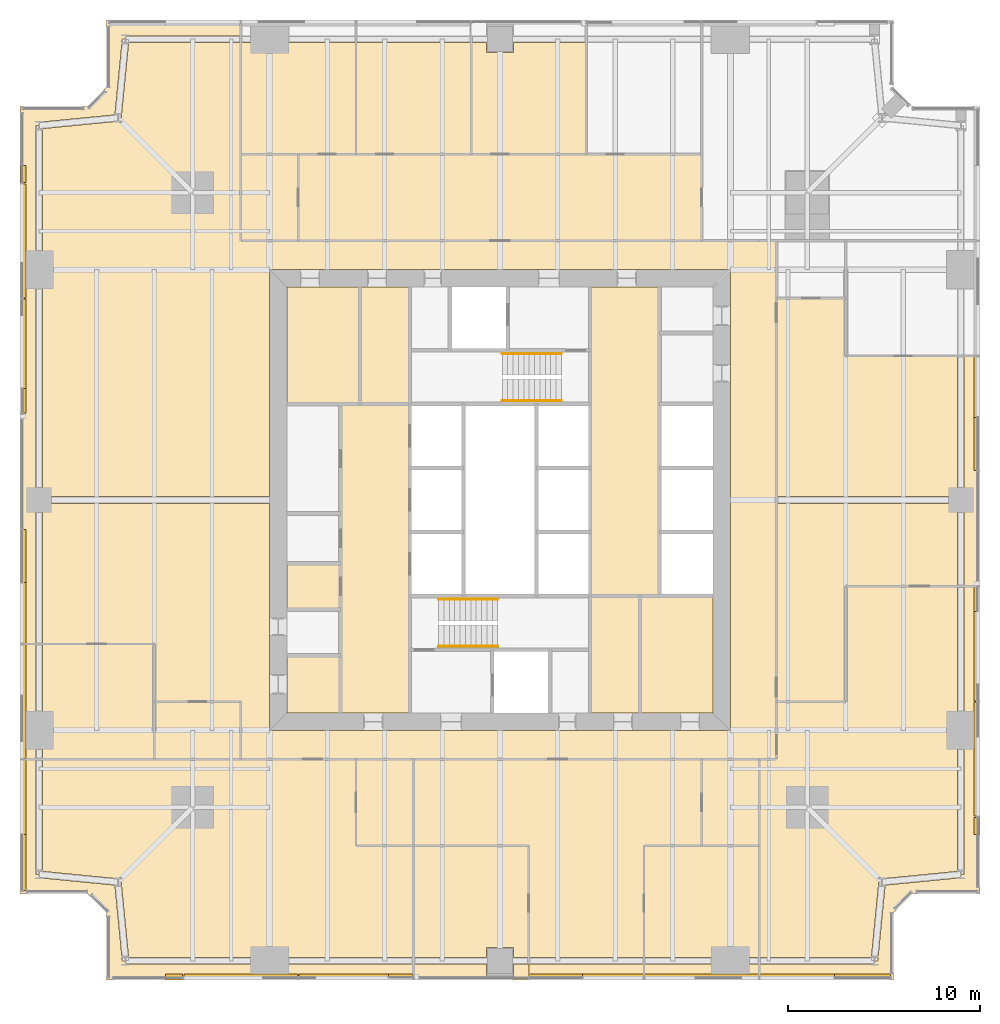
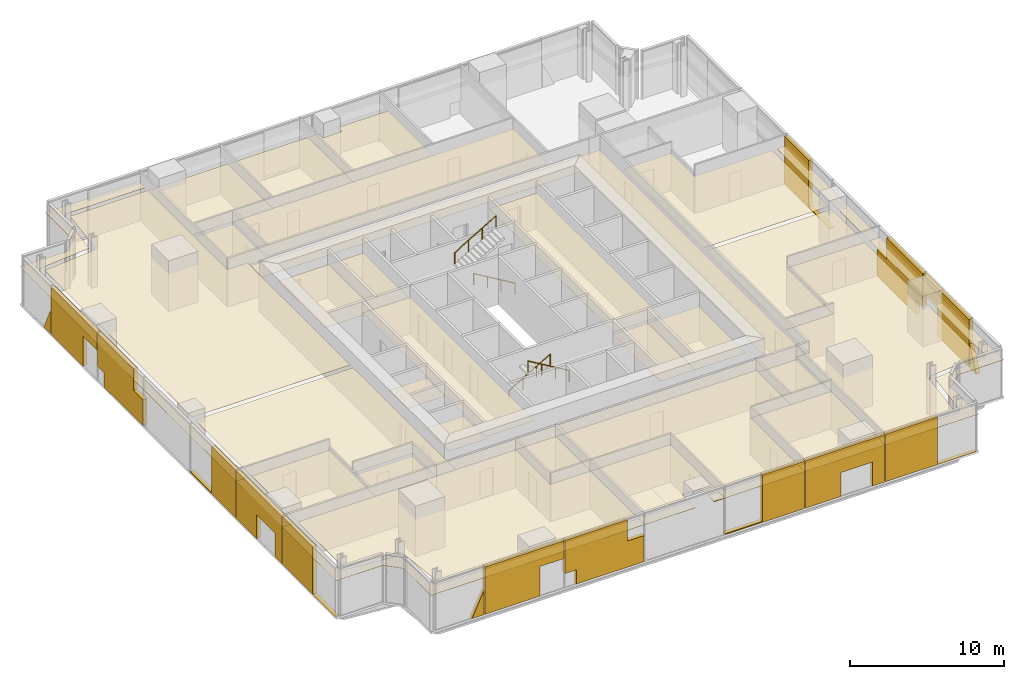
# One storey, part 13 of 14: 52 coverings, 4 railings.
"""IFC4 building model written with IfcOpenShell, lengths in metres."""

from ifc_helpers import new_model, si_unit, direction, frame, origin, origin_2d, place, context, subcontext, project, spatial, polyline, circle, outline, extrude, material, layer, layer_set, type_object, element, save


model = new_model("IFC4")

# Units and contexts
model_context = context("Model", 3, precision=1e-05, world=origin(), true_north=direction((0.0, 1.0)))
body_context = subcontext(model_context, "Body", "Model", "MODEL_VIEW")
ifc_project = project(units=[si_unit("LENGTHUNIT", "METRE"), si_unit("AREAUNIT", "SQUARE_METRE"), si_unit("VOLUMEUNIT", "CUBIC_METRE"), si_unit("PLANEANGLEUNIT", "RADIAN"), si_unit("MASSUNIT", "GRAM", prefix="KILO")], contexts=[model_context])

# Site, building, storey
site_placement = place(None, origin())
site = spatial("IfcSite", under=ifc_project, at=site_placement, CompositionType="ELEMENT")
building_placement = place(site_placement, origin())
building = spatial("IfcBuilding", under=site, at=building_placement, Name="Fenwick Lantern Interchange", CompositionType="ELEMENT")
storey_placement = place(building_placement, frame((0.0, 0.0, 154.39990234375)))
storey = spatial("IfcBuildingStorey", under=building, at=storey_placement, Name="L36", CompositionType="ELEMENT", Elevation=154.39990234375)

# Coverings
ifc_material_1 = material(Name="Mineral fibre acoustic tile on suspended grid")
ifc_layer_1 = layer(ifc_material_1, 0.02001953125)
ifc_layer_set_1 = layer_set([ifc_layer_1], Name="ACOUSTIC TILE CEILING 20")
covering_type_1 = type_object("IfcCoveringType", Name="ACOUSTIC TILE CEILING 20", PredefinedType="CEILING", material=ifc_layer_set_1)
covering_1_placement = place(storey_placement, frame((0.0, 0.0, 2.900146484375)))
element("IfcCovering", 1, at=covering_1_placement, inside=storey, type_object=covering_type_1, Name="Office suite ceiling", PredefinedType="CEILING", context=body_context, shape_type="SweptSolid", body=[
    extrude(outline(polyline([(20.5, 1.17236328125), (20.5, 7.0), (17.5, 7.0), (17.5, 11.5), (1.17236328125, 11.5), (1.17236328125, 5.656494140625), (5.11669921875, 5.271484375), (5.10009765625, 5.10009765625), (5.271484375, 5.11669921875), (5.656494140625, 1.17236328125), (13.0, 1.17236328125), (20.5, 1.17236328125)])), origin(), (0.0, 0.0, 1.0), 0.02001953125),
])
covering_2_placement = place(storey_placement, frame((0.0, 0.0, 2.900146484375)))
element("IfcCovering", 2, at=covering_2_placement, inside=storey, type_object=covering_type_1, Name="Office suite ceiling", PredefinedType="CEILING", context=body_context, shape_type="SweptSolid", body=[
    extrude(outline(polyline([(20.5, 0.0), (20.5, 0.82763671875), (13.0, 0.82763671875), (5.5, 0.82763671875), (5.5, 1.0), (5.328369140625, 0.983154296875), (4.942138671875, 4.942138671875), (0.983154296875, 5.328369140625), (1.0, 5.5), (0.82763671875, 5.5), (0.82763671875, 11.5), (0.0, 11.5), (0.0, 4.5), (3.5, 4.5), (4.5, 3.5), (4.5, 0.0), (20.5, 0.0)])), origin(), (0.0, 0.0, 1.0), 0.02001953125),
])
covering_3_placement = place(storey_placement, frame((0.0, 0.0, 2.900146484375)))
element("IfcCovering", 3, at=covering_3_placement, inside=storey, type_object=covering_type_1, Name="Meeting room ceiling", PredefinedType="CEILING", context=body_context, shape_type="SweptSolid", body=[
    extrude(outline(polyline([(17.5, 7.0), (20.5, 7.0), (20.5, 11.5), (17.5, 11.5), (17.5, 7.0)])), origin(), (0.0, 0.0, 1.0), 0.02001953125),
])
covering_4_placement = place(storey_placement, frame((0.0, 0.0, 2.900146484375)))
element("IfcCovering", 4, at=covering_4_placement, inside=storey, type_object=covering_type_1, Name="Office suite ceiling", PredefinedType="CEILING", context=body_context, shape_type="SweptSolid", body=[
    extrude(outline(polyline([(26.5, 7.0), (26.5, 1.17236328125), (32.5, 1.17236328125), (32.5, 7.0), (35.5, 7.0), (35.5, 11.5), (20.5, 11.5), (20.5, 7.0), (26.5, 7.0)])), origin(), (0.0, 0.0, 1.0), 0.02001953125),
])
covering_5_placement = place(storey_placement, frame((0.0, 0.0, 2.900146484375)))
element("IfcCovering", 5, at=covering_5_placement, inside=storey, type_object=covering_type_1, Name="Office suite ceiling", PredefinedType="CEILING", context=body_context, shape_type="SweptSolid", body=[
    extrude(outline(polyline([(26.5, 0.0), (32.5, 0.0), (32.5, 0.82763671875), (26.5, 0.82763671875), (26.5, 0.0)])), origin(), (0.0, 0.0, 1.0), 0.02001953125),
])
covering_6_placement = place(storey_placement, frame((0.0, 0.0, 2.900146484375)))
element("IfcCovering", 6, at=covering_6_placement, inside=storey, type_object=covering_type_1, Name="Office ceiling", PredefinedType="CEILING", context=body_context, shape_type="SweptSolid", body=[
    extrude(outline(polyline([(20.5, 7.0), (20.5, 1.17236328125), (24.300048828125, 1.17236328125), (24.300048828125, 1.699951171875), (25.699951171875, 1.699951171875), (25.699951171875, 1.17236328125), (26.5, 1.17236328125), (26.5, 7.0), (20.5, 7.0)])), origin(), (0.0, 0.0, 1.0), 0.02001953125),
])
covering_7_placement = place(storey_placement, frame((0.0, 0.0, 2.900146484375)))
element("IfcCovering", 7, at=covering_7_placement, inside=storey, type_object=covering_type_1, Name="Office ceiling", PredefinedType="CEILING", context=body_context, shape_type="SweptSolid", body=[
    extrude(outline(polyline([(20.5, 0.82763671875), (20.5, 0.0), (24.300048828125, 0.0), (24.300048828125, 0.82763671875), (20.5, 0.82763671875)])), origin(), (0.0, 0.0, 1.0), 0.02001953125),
])
covering_8_placement = place(storey_placement, frame((0.0, 0.0, 2.900146484375)))
element("IfcCovering", 8, at=covering_8_placement, inside=storey, type_object=covering_type_1, Name="Office ceiling", PredefinedType="CEILING", context=body_context, shape_type="SweptSolid", body=[
    extrude(outline(polyline([(26.5, 0.0), (26.5, 0.82763671875), (25.699951171875, 0.82763671875), (25.699951171875, 0.0), (26.5, 0.0)])), origin(), (0.0, 0.0, 1.0), 0.02001953125),
])
covering_9_placement = place(storey_placement, frame((0.0, 0.0, 2.900146484375)))
element("IfcCovering", 9, at=covering_9_placement, inside=storey, type_object=covering_type_1, Name="Office ceiling", PredefinedType="CEILING", context=body_context, shape_type="SweptSolid", body=[
    extrude(outline(polyline([(32.5, 7.0), (32.5, 1.17236328125), (37.0, 1.17236328125), (38.5, 1.17236328125), (38.5, 7.0), (32.5, 7.0)])), origin(), (0.0, 0.0, 1.0), 0.02001953125),
])
covering_10_placement = place(storey_placement, frame((0.0, 0.0, 2.900146484375)))
element("IfcCovering", 10, at=covering_10_placement, inside=storey, type_object=covering_type_1, Name="Office ceiling", PredefinedType="CEILING", context=body_context, shape_type="SweptSolid", body=[
    extrude(outline(polyline([(38.5, 0.0), (38.5, 0.82763671875), (37.0, 0.82763671875), (32.5, 0.82763671875), (32.5, 0.0), (38.5, 0.0)])), origin(), (0.0, 0.0, 1.0), 0.02001953125),
])
covering_11_placement = place(storey_placement, frame((0.0, 0.0, 2.900146484375)))
element("IfcCovering", 11, at=covering_11_placement, inside=storey, type_object=covering_type_1, Name="Office suite ceiling", PredefinedType="CEILING", context=body_context, shape_type="SweptSolid", body=[
    extrude(outline(polyline([(39.39990234375, 35.5), (39.39990234375, 25.175048828125), (48.82763671875, 25.175048828125), (48.82763671875, 32.5), (43.0, 32.5), (43.0, 35.5), (39.39990234375, 35.5)])), origin(), (0.0, 0.0, 1.0), 0.02001953125),
])
covering_12_placement = place(storey_placement, frame((0.0, 0.0, 2.900146484375)))
element("IfcCovering", 12, at=covering_12_placement, inside=storey, type_object=covering_type_1, Name="Office suite ceiling", PredefinedType="CEILING", context=body_context, shape_type="SweptSolid", body=[
    extrude(outline(polyline([(43.0, 20.5), (48.82763671875, 20.5), (48.82763671875, 24.824951171875), (39.39990234375, 24.824951171875), (39.39990234375, 14.5), (43.0, 14.5), (43.0, 20.5)])), origin(), (0.0, 0.0, 1.0), 0.02001953125),
])
covering_13_placement = place(storey_placement, frame((0.0, 0.0, 2.900146484375)))
element("IfcCovering", 13, at=covering_13_placement, inside=storey, type_object=covering_type_1, Name="Office suite ceiling", PredefinedType="CEILING", context=body_context, shape_type="SweptSolid", body=[
    extrude(outline(polyline([(50.0, 20.5), (50.0, 32.5), (49.17236328125, 32.5), (49.17236328125, 25.0), (49.17236328125, 20.5), (50.0, 20.5)])), origin(), (0.0, 0.0, 1.0), 0.02001953125),
])
covering_14_placement = place(storey_placement, frame((0.0, 0.0, 2.900146484375)))
element("IfcCovering", 14, at=covering_14_placement, inside=storey, type_object=covering_type_1, Name="Office lounge ceiling", PredefinedType="CEILING", context=body_context, shape_type="SweptSolid", body=[
    extrude(outline(polyline([(48.82763671875, 20.5), (43.0, 20.5), (43.0, 14.5), (39.39990234375, 14.5), (39.39990234375, 11.5), (38.5, 11.5), (38.5, 1.17236328125), (44.343505859375, 1.17236328125), (44.728515625, 5.11669921875), (44.89990234375, 5.10009765625), (44.88330078125, 5.271484375), (48.82763671875, 5.656494140625), (48.82763671875, 13.0), (48.82763671875, 20.5)])), origin(), (0.0, 0.0, 1.0), 0.02001953125),
])
covering_15_placement = place(storey_placement, frame((0.0, 0.0, 2.900146484375)))
element("IfcCovering", 15, at=covering_15_placement, inside=storey, type_object=covering_type_1, Name="Office lounge ceiling", PredefinedType="CEILING", context=body_context, shape_type="SweptSolid", body=[
    extrude(outline(polyline([(50.0, 20.5), (49.17236328125, 20.5), (49.17236328125, 13.0), (49.17236328125, 5.5), (49.0, 5.5), (49.016845703125, 5.328369140625), (45.057861328125, 4.942138671875), (44.671630859375, 0.983154296875), (44.5, 1.0), (44.5, 0.82763671875), (38.5, 0.82763671875), (38.5, 0.0), (45.5, 0.0), (45.5, 3.5), (46.5, 4.5), (50.0, 4.5), (50.0, 20.5)])), origin(), (0.0, 0.0, 1.0), 0.02001953125),
])
covering_16_placement = place(storey_placement, frame((0.0, 0.0, 2.900146484375)))
element("IfcCovering", 16, at=covering_16_placement, inside=storey, type_object=covering_type_1, Name="Office suite ceiling", PredefinedType="CEILING", context=body_context, shape_type="SweptSolid", body=[
    extrude(outline(polyline([(35.5, 38.5), (35.5, 43.0), (14.5, 43.0), (14.5, 38.5), (35.5, 38.5)])), origin(), (0.0, 0.0, 1.0), 0.02001953125),
])
covering_17_placement = place(storey_placement, frame((0.0, 0.0, 2.900146484375)))
element("IfcCovering", 17, at=covering_17_placement, inside=storey, type_object=covering_type_1, Name="Office ceiling", PredefinedType="CEILING", context=body_context, shape_type="SweptSolid", body=[
    extrude(outline(polyline([(29.5, 43.0), (29.5, 48.82763671875), (25.699951171875, 48.82763671875), (25.699951171875, 48.300048828125), (24.300048828125, 48.300048828125), (24.300048828125, 48.82763671875), (23.5, 48.82763671875), (23.5, 43.0), (29.5, 43.0)])), origin(), (0.0, 0.0, 1.0), 0.02001953125),
])
covering_18_placement = place(storey_placement, frame((0.0, 0.0, 2.900146484375)))
element("IfcCovering", 18, at=covering_18_placement, inside=storey, type_object=covering_type_1, Name="Office ceiling", PredefinedType="CEILING", context=body_context, shape_type="SweptSolid", body=[
    extrude(outline(polyline([(23.5, 43.0), (23.5, 48.82763671875), (17.5, 48.82763671875), (17.5, 43.0), (23.5, 43.0)])), origin(), (0.0, 0.0, 1.0), 0.02001953125),
])
covering_19_placement = place(storey_placement, frame((0.0, 0.0, 2.900146484375)))
element("IfcCovering", 19, at=covering_19_placement, inside=storey, type_object=covering_type_1, Name="Office ceiling", PredefinedType="CEILING", context=body_context, shape_type="SweptSolid", body=[
    extrude(outline(polyline([(17.5, 43.0), (17.5, 48.82763671875), (13.0, 48.82763671875), (11.5, 48.82763671875), (11.5, 43.0), (17.5, 43.0)])), origin(), (0.0, 0.0, 1.0), 0.02001953125),
])
covering_20_placement = place(storey_placement, frame((0.0, 0.0, 2.900146484375)))
element("IfcCovering", 20, at=covering_20_placement, inside=storey, type_object=covering_type_1, Name="Open office ceiling", PredefinedType="CEILING", context=body_context, shape_type="SweptSolid", body=[
    extrude(outline(polyline([(11.5, 38.5), (11.5, 48.82763671875), (5.656494140625, 48.82763671875), (5.271484375, 44.88330078125), (5.10009765625, 44.89990234375), (5.11669921875, 44.728515625), (1.17236328125, 44.343505859375), (1.17236328125, 37.0), (1.17236328125, 25.175048828125), (13.0, 25.175048828125), (13.0, 38.5), (11.5, 38.5)])), origin(), (0.0, 0.0, 1.0), 0.02001953125),
])
covering_21_placement = place(storey_placement, frame((0.0, 0.0, 2.900146484375)))
element("IfcCovering", 21, at=covering_21_placement, inside=storey, type_object=covering_type_1, Name="Open office ceiling", PredefinedType="CEILING", context=body_context, shape_type="SweptSolid", body=[
    extrude(outline(polyline([(13.0, 11.5), (13.0, 24.824951171875), (1.17236328125, 24.824951171875), (1.17236328125, 17.5), (7.0, 17.5), (7.0, 14.5), (11.5, 14.5), (11.5, 11.5), (13.0, 11.5)])), origin(), (0.0, 0.0, 1.0), 0.02001953125),
])
covering_22_placement = place(storey_placement, frame((0.0, 0.0, 2.900146484375)))
element("IfcCovering", 22, at=covering_22_placement, inside=storey, type_object=covering_type_1, Name="Open office ceiling", PredefinedType="CEILING", context=body_context, shape_type="SweptSolid", body=[
    extrude(outline(polyline([(3.5, 45.5), (0.0, 45.5), (0.0, 17.5), (0.82763671875, 17.5), (0.82763671875, 25.0), (0.82763671875, 37.0), (0.82763671875, 44.5), (1.0, 44.5), (0.983154296875, 44.671630859375), (4.942138671875, 45.057861328125), (5.328369140625, 49.016845703125), (5.5, 49.0), (5.5, 49.17236328125), (11.5, 49.17236328125), (11.5, 50.0), (4.5, 50.0), (4.5, 46.5), (3.5, 45.5)])), origin(), (0.0, 0.0, 1.0), 0.02001953125),
])
covering_23_placement = place(storey_placement, frame((0.0, 0.0, 2.900146484375)))
element("IfcCovering", 23, at=covering_23_placement, inside=storey, type_object=covering_type_1, Name="Meeting room ceiling", PredefinedType="CEILING", context=body_context, shape_type="SweptSolid", body=[
    extrude(outline(polyline([(7.0, 17.5), (1.17236328125, 17.5), (1.17236328125, 13.0), (1.17236328125, 11.5), (7.0, 11.5), (7.0, 17.5)])), origin(), (0.0, 0.0, 1.0), 0.02001953125),
])
covering_24_placement = place(storey_placement, frame((0.0, 0.0, 2.900146484375)))
element("IfcCovering", 24, at=covering_24_placement, inside=storey, type_object=covering_type_1, Name="Meeting room ceiling", PredefinedType="CEILING", context=body_context, shape_type="SweptSolid", body=[
    extrude(outline(polyline([(0.0, 11.5), (0.82763671875, 11.5), (0.82763671875, 13.0), (0.82763671875, 17.5), (0.0, 17.5), (0.0, 11.5)])), origin(), (0.0, 0.0, 1.0), 0.02001953125),
])
ifc_material_2 = material(Name="Granite cladding, warm grey flamed finish, on aluminium carrier frame", Category="masonry")
ifc_layer_2 = layer(ifc_material_2, 0.300048828125)
ifc_layer_set_2 = layer_set([ifc_layer_2], Name="BRACE CASING PANEL 300")
covering_type_2 = type_object("IfcCoveringType", Name="BRACE CASING PANEL 300", PredefinedType="CLADDING", material=ifc_layer_set_2)
covering_25_placement = place(storey_placement, frame((4.60009765625, 0.10009765625, 0.0), z_axis=(0.0, 0.0, 1.0), x_axis=(1.0, 0.0, 0.0)))
element("IfcCovering", 25, at=covering_25_placement, inside=storey, type_object=covering_type_2, Name="Brace casing 01 bay 00a", PredefinedType="CLADDING", context=body_context, shape_type="SweptSolid", body=[
    extrude(outline(polyline([(2.97265625, 0.0), (3.867431640625, 0.0), (3.867431640625, 1.895263671875), (2.97265625, 0.0)])), frame((0.0, 0.2001953125, 0.0), z_axis=(0.0, -1.0, 0.0), x_axis=(1.0, 0.0, 0.0)), (0.0, 0.0, 1.0), 0.300048828125),
])
covering_26_placement = place(storey_placement, frame((4.60009765625, 0.10009765625, 0.0), z_axis=(0.0, 0.0, 1.0), x_axis=(1.0, 0.0, 0.0)))
element("IfcCovering", 26, at=covering_26_placement, inside=storey, type_object=covering_type_2, Name="Brace casing 01 bay 01a", PredefinedType="CLADDING", context=body_context, shape_type="SweptSolid", body=[
    extrude(outline(polyline([(3.9326171875, 0.0), (8.063720703125, 0.0), (8.063720703125, 2.350341796875), (9.867431640625, 2.350341796875), (9.867431640625, 3.75), (3.9326171875, 3.75), (3.9326171875, 0.0)])), frame((0.0, 0.2001953125, 0.0), z_axis=(0.0, -1.0, 0.0), x_axis=(1.0, 0.0, 0.0)), (0.0, 0.0, 1.0), 0.300048828125),
])
covering_27_placement = place(storey_placement, frame((4.60009765625, 0.10009765625, 0.0), z_axis=(0.0, 0.0, 1.0), x_axis=(1.0, 0.0, 0.0)))
element("IfcCovering", 27, at=covering_27_placement, inside=storey, type_object=covering_type_2, Name="Brace casing 01 bay 02a", PredefinedType="CLADDING", context=body_context, shape_type="SweptSolid", body=[
    extrude(outline(polyline([(10.78759765625, 0.0), (15.867431640625, 0.0), (15.867431640625, 2.062255859375), (14.5966796875, 2.062255859375), (14.5966796875, 3.75), (9.9326171875, 3.75), (9.9326171875, 1.13232421875), (10.78759765625, 1.13232421875), (10.78759765625, 0.0)])), frame((0.0, 0.2001953125, 0.0), z_axis=(0.0, -1.0, 0.0), x_axis=(1.0, 0.0, 0.0)), (0.0, 0.0, 1.0), 0.300048828125),
])
covering_28_placement = place(storey_placement, frame((4.60009765625, 0.10009765625, 0.0), z_axis=(0.0, 0.0, 1.0), x_axis=(1.0, 0.0, 0.0)))
element("IfcCovering", 28, at=covering_28_placement, inside=storey, type_object=covering_type_2, Name="Brace casing 01 bay 04a", PredefinedType="CLADDING", context=body_context, shape_type="SweptSolid", body=[
    extrude(outline(polyline([(21.9326171875, 0.0), (27.867431640625, 0.0), (27.867431640625, 3.75), (24.70751953125, 3.75), (24.70751953125, 0.082275390625), (21.9326171875, 0.082275390625), (21.9326171875, 0.0)])), frame((0.0, 0.2001953125, 0.0), z_axis=(0.0, -1.0, 0.0), x_axis=(1.0, 0.0, 0.0)), (0.0, 0.0, 1.0), 0.300048828125),
])
covering_29_placement = place(storey_placement, frame((4.60009765625, 0.10009765625, 0.0), z_axis=(0.0, 0.0, 1.0), x_axis=(1.0, 0.0, 0.0)))
element("IfcCovering", 29, at=covering_29_placement, inside=storey, type_object=covering_type_2, Name="Brace casing 01 bay 05a", PredefinedType="CLADDING", context=body_context, shape_type="SweptSolid", body=[
    extrude(outline(polyline([(27.9326171875, 0.0), (30.587158203125, 0.0), (30.587158203125, 1.89306640625), (32.9521484375, 1.89306640625), (32.9521484375, 0.0), (33.867431640625, 0.0), (33.867431640625, 3.75), (27.9326171875, 3.75), (27.9326171875, 0.0)])), frame((0.0, 0.2001953125, 0.0), z_axis=(0.0, -1.0, 0.0), x_axis=(1.0, 0.0, 0.0)), (0.0, 0.0, 1.0), 0.300048828125),
])
covering_30_placement = place(storey_placement, frame((4.60009765625, 0.10009765625, 0.0), z_axis=(0.0, 0.0, 1.0), x_axis=(1.0, 0.0, 0.0)))
element("IfcCovering", 30, at=covering_30_placement, inside=storey, type_object=covering_type_2, Name="Brace casing 01 bay 06a", PredefinedType="CLADDING", context=body_context, shape_type="SweptSolid", body=[
    extrude(outline(polyline([(33.9326171875, 0.0), (40.735107421875, 0.0), (40.735107421875, 0.001220703125), (37.82666015625, 0.001220703125), (37.82666015625, 3.75), (33.9326171875, 3.75), (33.9326171875, 0.0)])), frame((0.0, 0.2001953125, 0.0), z_axis=(0.0, -1.0, 0.0), x_axis=(1.0, 0.0, 0.0)), (0.0, 0.0, 1.0), 0.300048828125),
])
covering_31_placement = place(storey_placement, frame((49.89990234375, 4.60009765625, 0.0), z_axis=(0.0, 0.0, 1.0), x_axis=(0.0, 1.0, 0.0)))
element("IfcCovering", 31, at=covering_31_placement, inside=storey, type_object=covering_type_2, Name="Brace casing 05 bay 00a", PredefinedType="CLADDING", context=body_context, shape_type="SweptSolid", body=[
    extrude(outline(polyline([(2.97265625, 0.0), (3.867431640625, 0.0), (3.867431640625, 1.895263671875), (2.97265625, 0.0)])), frame((0.0, 0.2001953125, 0.0), z_axis=(0.0, -1.0, 0.0), x_axis=(1.0, 0.0, 0.0)), (0.0, 0.0, 1.0), 0.300048828125),
])
covering_32_placement = place(storey_placement, frame((49.89990234375, 4.60009765625, 0.0), z_axis=(0.0, 0.0, 1.0), x_axis=(0.0, 1.0, 0.0)))
element("IfcCovering", 32, at=covering_32_placement, inside=storey, type_object=covering_type_2, Name="Brace casing 05 bay 01a", PredefinedType="CLADDING", context=body_context, shape_type="SweptSolid", body=[
    extrude(outline(polyline([(3.9326171875, 0.0), (8.063720703125, 0.0), (8.063720703125, 2.350341796875), (9.867431640625, 2.350341796875), (9.867431640625, 3.75), (3.9326171875, 3.75), (3.9326171875, 0.0)])), frame((0.0, 0.2001953125, 0.0), z_axis=(0.0, -1.0, 0.0), x_axis=(1.0, 0.0, 0.0)), (0.0, 0.0, 1.0), 0.300048828125),
])
covering_33_placement = place(storey_placement, frame((49.89990234375, 4.60009765625, 0.0), z_axis=(0.0, 0.0, 1.0), x_axis=(0.0, 1.0, 0.0)))
element("IfcCovering", 33, at=covering_33_placement, inside=storey, type_object=covering_type_2, Name="Brace casing 05 bay 02a", PredefinedType="CLADDING", context=body_context, shape_type="SweptSolid", body=[
    extrude(outline(polyline([(10.78759765625, 0.0), (15.867431640625, 0.0), (15.867431640625, 2.062255859375), (14.5966796875, 2.062255859375), (14.5966796875, 3.75), (9.9326171875, 3.75), (9.9326171875, 1.13232421875), (10.78759765625, 1.13232421875), (10.78759765625, 0.0)])), frame((0.0, 0.2001953125, 0.0), z_axis=(0.0, -1.0, 0.0), x_axis=(1.0, 0.0, 0.0)), (0.0, 0.0, 1.0), 0.300048828125),
])
covering_34_placement = place(storey_placement, frame((49.89990234375, 4.60009765625, 0.0), z_axis=(0.0, 0.0, 1.0), x_axis=(0.0, 1.0, 0.0)))
element("IfcCovering", 34, at=covering_34_placement, inside=storey, type_object=covering_type_2, Name="Brace casing 05 bay 04a", PredefinedType="CLADDING", context=body_context, shape_type="SweptSolid", body=[
    extrude(outline(polyline([(21.9326171875, 0.0), (27.867431640625, 0.0), (27.867431640625, 3.75), (24.70751953125, 3.75), (24.70751953125, 0.082275390625), (21.9326171875, 0.082275390625), (21.9326171875, 0.0)])), frame((0.0, 0.2001953125, 0.0), z_axis=(0.0, -1.0, 0.0), x_axis=(1.0, 0.0, 0.0)), (0.0, 0.0, 1.0), 0.300048828125),
])
covering_35_placement = place(storey_placement, frame((0.10009765625, 45.39990234375, 0.0), z_axis=(0.0, 0.0, 1.0), x_axis=(0.0, -1.0, 0.0)))
element("IfcCovering", 35, at=covering_35_placement, inside=storey, type_object=covering_type_2, Name="Brace casing 13 bay 00a", PredefinedType="CLADDING", context=body_context, shape_type="SweptSolid", body=[
    extrude(outline(polyline([(2.97265625, 0.0), (3.867431640625, 0.0), (3.867431640625, 1.895263671875), (2.97265625, 0.0)])), frame((0.0, 0.2001953125, 0.0), z_axis=(0.0, -1.0, 0.0), x_axis=(1.0, 0.0, 0.0)), (0.0, 0.0, 1.0), 0.300048828125),
])
covering_36_placement = place(storey_placement, frame((0.10009765625, 45.39990234375, 0.0), z_axis=(0.0, 0.0, 1.0), x_axis=(0.0, -1.0, 0.0)))
element("IfcCovering", 36, at=covering_36_placement, inside=storey, type_object=covering_type_2, Name="Brace casing 13 bay 01a", PredefinedType="CLADDING", context=body_context, shape_type="SweptSolid", body=[
    extrude(outline(polyline([(3.9326171875, 0.0), (8.063720703125, 0.0), (8.063720703125, 2.350341796875), (9.867431640625, 2.350341796875), (9.867431640625, 3.75), (3.9326171875, 3.75), (3.9326171875, 0.0)])), frame((0.0, 0.2001953125, 0.0), z_axis=(0.0, -1.0, 0.0), x_axis=(1.0, 0.0, 0.0)), (0.0, 0.0, 1.0), 0.300048828125),
])
covering_37_placement = place(storey_placement, frame((0.10009765625, 45.39990234375, 0.0), z_axis=(0.0, 0.0, 1.0), x_axis=(0.0, -1.0, 0.0)))
element("IfcCovering", 37, at=covering_37_placement, inside=storey, type_object=covering_type_2, Name="Brace casing 13 bay 02a", PredefinedType="CLADDING", context=body_context, shape_type="SweptSolid", body=[
    extrude(outline(polyline([(10.78759765625, 0.0), (15.867431640625, 0.0), (15.867431640625, 2.062255859375), (14.5966796875, 2.062255859375), (14.5966796875, 3.75), (9.9326171875, 3.75), (9.9326171875, 1.13232421875), (10.78759765625, 1.13232421875), (10.78759765625, 0.0)])), frame((0.0, 0.2001953125, 0.0), z_axis=(0.0, -1.0, 0.0), x_axis=(1.0, 0.0, 0.0)), (0.0, 0.0, 1.0), 0.300048828125),
])
covering_38_placement = place(storey_placement, frame((0.10009765625, 45.39990234375, 0.0), z_axis=(0.0, 0.0, 1.0), x_axis=(0.0, -1.0, 0.0)))
element("IfcCovering", 38, at=covering_38_placement, inside=storey, type_object=covering_type_2, Name="Brace casing 13 bay 04a", PredefinedType="CLADDING", context=body_context, shape_type="SweptSolid", body=[
    extrude(outline(polyline([(21.9326171875, 0.0), (27.867431640625, 0.0), (27.867431640625, 3.75), (24.70751953125, 3.75), (24.70751953125, 0.082275390625), (21.9326171875, 0.082275390625), (21.9326171875, 0.0)])), frame((0.0, 0.2001953125, 0.0), z_axis=(0.0, -1.0, 0.0), x_axis=(1.0, 0.0, 0.0)), (0.0, 0.0, 1.0), 0.300048828125),
])
covering_39_placement = place(storey_placement, frame((0.10009765625, 45.39990234375, 0.0), z_axis=(0.0, 0.0, 1.0), x_axis=(0.0, -1.0, 0.0)))
element("IfcCovering", 39, at=covering_39_placement, inside=storey, type_object=covering_type_2, Name="Brace casing 13 bay 05a", PredefinedType="CLADDING", context=body_context, shape_type="SweptSolid", body=[
    extrude(outline(polyline([(27.9326171875, 0.0), (30.587158203125, 0.0), (30.587158203125, 1.89306640625), (32.9521484375, 1.89306640625), (32.9521484375, 0.0), (33.867431640625, 0.0), (33.867431640625, 3.75), (27.9326171875, 3.75), (27.9326171875, 0.0)])), frame((0.0, 0.2001953125, 0.0), z_axis=(0.0, -1.0, 0.0), x_axis=(1.0, 0.0, 0.0)), (0.0, 0.0, 1.0), 0.300048828125),
])
covering_40_placement = place(storey_placement, frame((0.10009765625, 45.39990234375, 0.0), z_axis=(0.0, 0.0, 1.0), x_axis=(0.0, -1.0, 0.0)))
element("IfcCovering", 40, at=covering_40_placement, inside=storey, type_object=covering_type_2, Name="Brace casing 13 bay 06a", PredefinedType="CLADDING", context=body_context, shape_type="SweptSolid", body=[
    extrude(outline(polyline([(33.9326171875, 0.0), (40.735107421875, 0.0), (40.735107421875, 0.001220703125), (37.82666015625, 0.001220703125), (37.82666015625, 3.75), (33.9326171875, 3.75), (33.9326171875, 0.0)])), frame((0.0, 0.2001953125, 0.0), z_axis=(0.0, -1.0, 0.0), x_axis=(1.0, 0.0, 0.0)), (0.0, 0.0, 1.0), 0.300048828125),
])

# Railings
ifc_material_3 = material(Name="Stainless steel handrail", Category="steel")
railing_type = type_object("IfcRailingType", Name="HANDRAIL 900", PredefinedType="HANDRAIL", material=ifc_material_3)
railing_1_placement = place(storey_placement, frame((21.800048828125, 19.825927734375, 0.166748046875)))
element("IfcRailing", 41, at=railing_1_placement, inside=storey, type_object=railing_type, Name="L36/STAIR/ST1/HR1", PredefinedType="HANDRAIL", context=body_context, shape_type="SweptSolid", body=[
    extrude(circle(Radius=0.02392578125, at=origin_2d()), frame((0.0, 0.0, 0.8759765625), z_axis=(0.859290745958, 0.0, 0.51148745235), x_axis=(0.0, 1.0, 0.0)), (0.0, 0.0, 1.0), 3.584228515625),
    extrude(circle(Radius=0.02099609375, at=origin_2d()), origin(), (0.0, 0.0, 1.0), 0.851806640625),
    extrude(circle(Radius=0.02099609375, at=origin_2d()), frame((1.026611328125, 0.0, 0.611083984375)), (0.0, 0.0, 1.0), 0.851806640625),
    extrude(circle(Radius=0.02099609375, at=origin_2d()), frame((2.05322265625, 0.0, 1.22216796875)), (0.0, 0.0, 1.0), 0.851806640625),
    extrude(circle(Radius=0.02099609375, at=origin_2d()), frame((3.079833984375, 0.0, 1.833251953125)), (0.0, 0.0, 1.0), 0.851806640625),
])
for number, where, name in (
    (42, (24.8798828125, 17.3740234375, 2.166748046875), "L36/STAIR/ST1/HR2"),
    (43, (28.199951171875, 30.174072265625, 0.166748046875), "L36/STAIR/ST2/HR1"),
):
    element("IfcRailing", number, at=place(storey_placement, frame(where)), inside=storey, type_object=railing_type, Name=name, PredefinedType="HANDRAIL", context=body_context, shape_type="SweptSolid", body=[
        extrude(circle(Radius=0.02392578125, at=origin_2d()), frame((0.0, 0.0, 0.8759765625), z_axis=(-0.859290745958, 0.0, 0.51148745235), x_axis=(0.0, -1.0, 0.0)), (0.0, 0.0, 1.0), 3.584228515625),
        extrude(circle(Radius=0.02099609375, at=origin_2d()), origin(), (0.0, 0.0, 1.0), 0.851806640625),
        extrude(circle(Radius=0.02099609375, at=origin_2d()), frame((-1.026611328125, 0.0, 0.611083984375)), (0.0, 0.0, 1.0), 0.851806640625),
        extrude(circle(Radius=0.02099609375, at=origin_2d()), frame((-2.05322265625, 0.0, 1.22216796875)), (0.0, 0.0, 1.0), 0.851806640625),
        extrude(circle(Radius=0.02099609375, at=origin_2d()), frame((-3.079833984375, 0.0, 1.833251953125)), (0.0, 0.0, 1.0), 0.851806640625),
    ])
railing_2_placement = place(storey_placement, frame((25.1201171875, 32.6259765625, 2.166748046875)))
element("IfcRailing", 44, at=railing_2_placement, inside=storey, type_object=railing_type, Name="L36/STAIR/ST2/HR2", PredefinedType="HANDRAIL", context=body_context, shape_type="SweptSolid", body=[
    extrude(circle(Radius=0.02392578125, at=origin_2d()), frame((0.0, 0.0, 0.8759765625), z_axis=(0.859290745958, 0.0, 0.51148745235), x_axis=(0.0, 1.0, 0.0)), (0.0, 0.0, 1.0), 3.584228515625),
    extrude(circle(Radius=0.02099609375, at=origin_2d()), origin(), (0.0, 0.0, 1.0), 0.851806640625),
    extrude(circle(Radius=0.02099609375, at=origin_2d()), frame((1.026611328125, 0.0, 0.611083984375)), (0.0, 0.0, 1.0), 0.851806640625),
    extrude(circle(Radius=0.02099609375, at=origin_2d()), frame((2.05322265625, 0.0, 1.22216796875)), (0.0, 0.0, 1.0), 0.851806640625),
    extrude(circle(Radius=0.02099609375, at=origin_2d()), frame((3.079833984375, 0.0, 1.833251953125)), (0.0, 0.0, 1.0), 0.851806640625),
])

# Coverings
ifc_material_4 = material(Name="Moisture resistant gypsum board on suspended frame, painted")
ifc_layer_3 = layer(ifc_material_4, 0.014892578125)
ifc_layer_set_3 = layer_set([ifc_layer_3], Name="MOISTURE RESISTANT CEILING 15")
covering_type_3 = type_object("IfcCoveringType", Name="MOISTURE RESISTANT CEILING 15", PredefinedType="CEILING", material=ifc_layer_set_3)
covering_41_placement = place(storey_placement, frame((0.0, 0.0, 2.60009765625)))
element("IfcCovering", 45, at=covering_41_placement, inside=storey, type_object=covering_type_3, Name="Men's WC ceiling", PredefinedType="CEILING", context=body_context, shape_type="SweptSolid", body=[
    extrude(outline(polyline([(29.699951171875, 13.89990234375), (32.300048828125, 13.89990234375), (32.300048828125, 20.0), (29.699951171875, 20.0), (29.699951171875, 13.89990234375)])), origin(), (0.0, 0.0, 1.0), 0.014892578125),
])
covering_42_placement = place(storey_placement, frame((0.0, 0.0, 2.60009765625)))
element("IfcCovering", 46, at=covering_42_placement, inside=storey, type_object=covering_type_3, Name="Women's WC ceiling", PredefinedType="CEILING", context=body_context, shape_type="SweptSolid", body=[
    extrude(outline(polyline([(32.300048828125, 13.89990234375), (36.10009765625, 13.89990234375), (36.10009765625, 20.0), (32.300048828125, 20.0), (32.300048828125, 13.89990234375)])), origin(), (0.0, 0.0, 1.0), 0.014892578125),
])
covering_43_placement = place(storey_placement, frame((0.0, 0.0, 2.60009765625)))
element("IfcCovering", 47, at=covering_43_placement, inside=storey, type_object=covering_type_3, Name="Accessible WC ceiling", PredefinedType="CEILING", context=body_context, shape_type="SweptSolid", body=[
    extrude(outline(polyline([(13.89990234375, 13.89990234375), (16.699951171875, 13.89990234375), (16.699951171875, 16.89990234375), (13.89990234375, 16.89990234375), (13.89990234375, 13.89990234375)])), origin(), (0.0, 0.0, 1.0), 0.014892578125),
])
covering_44_placement = place(storey_placement, frame((0.0, 0.0, 2.7001953125)))
element("IfcCovering", 48, at=covering_44_placement, inside=storey, type_object=covering_type_3, Name="Pantry ceiling", PredefinedType="CEILING", context=body_context, shape_type="SweptSolid", body=[
    extrude(outline(polyline([(13.89990234375, 19.300048828125), (16.699951171875, 19.300048828125), (16.699951171875, 21.699951171875), (13.89990234375, 21.699951171875), (13.89990234375, 19.300048828125)])), origin(), (0.0, 0.0, 1.0), 0.014892578125),
])
covering_45_placement = place(storey_placement, frame((0.0, 0.0, 2.60009765625)))
element("IfcCovering", 49, at=covering_45_placement, inside=storey, type_object=covering_type_3, Name="Men's WC ceiling", PredefinedType="CEILING", context=body_context, shape_type="SweptSolid", body=[
    extrude(outline(polyline([(20.300048828125, 36.10009765625), (17.699951171875, 36.10009765625), (17.699951171875, 30.0), (20.300048828125, 30.0), (20.300048828125, 36.10009765625)])), origin(), (0.0, 0.0, 1.0), 0.014892578125),
])
covering_46_placement = place(storey_placement, frame((0.0, 0.0, 2.60009765625)))
element("IfcCovering", 50, at=covering_46_placement, inside=storey, type_object=covering_type_3, Name="Women's WC ceiling", PredefinedType="CEILING", context=body_context, shape_type="SweptSolid", body=[
    extrude(outline(polyline([(17.699951171875, 36.10009765625), (13.89990234375, 36.10009765625), (13.89990234375, 30.0), (17.699951171875, 30.0), (17.699951171875, 36.10009765625)])), origin(), (0.0, 0.0, 1.0), 0.014892578125),
])
covering_47_placement = place(storey_placement, frame((0.0, 0.0, 2.7001953125)))
element("IfcCovering", 51, at=covering_47_placement, inside=storey, type_object=covering_type_3, Name="Pantry ceiling", PredefinedType="CEILING", context=body_context, shape_type="SweptSolid", body=[
    extrude(outline(polyline([(35.5, 7.0), (38.5, 7.0), (38.5, 11.5), (35.5, 11.5), (35.5, 7.0)])), origin(), (0.0, 0.0, 1.0), 0.014892578125),
])
covering_48_placement = place(storey_placement, frame((0.0, 0.0, 2.7001953125)))
element("IfcCovering", 52, at=covering_48_placement, inside=storey, type_object=covering_type_3, Name="Pantry ceiling", PredefinedType="CEILING", context=body_context, shape_type="SweptSolid", body=[
    extrude(outline(polyline([(14.5, 43.0), (11.5, 43.0), (11.5, 38.5), (14.5, 38.5), (14.5, 43.0)])), origin(), (0.0, 0.0, 1.0), 0.014892578125),
])
covering_49_placement = place(storey_placement, frame((0.0, 0.0, 2.7001953125)))
element("IfcCovering", 53, at=covering_49_placement, inside=storey, type_object=covering_type_3, Name="Pantry ceiling", PredefinedType="CEILING", context=body_context, shape_type="SweptSolid", body=[
    extrude(outline(polyline([(7.0, 14.5), (7.0, 11.5), (11.5, 11.5), (11.5, 14.5), (7.0, 14.5)])), origin(), (0.0, 0.0, 1.0), 0.014892578125),
])
ifc_material_5 = material(Name="Gypsum plasterboard on suspended frame, painted")
ifc_layer_4 = layer(ifc_material_5, 0.014892578125)
ifc_layer_set_4 = layer_set([ifc_layer_4], Name="PLASTERBOARD CEILING 15")
covering_type_4 = type_object("IfcCoveringType", Name="PLASTERBOARD CEILING 15", PredefinedType="CEILING", material=ifc_layer_set_4)
covering_50_placement = place(storey_placement, frame((0.0, 0.0, 2.800048828125)))
element("IfcCovering", 54, at=covering_50_placement, inside=storey, type_object=covering_type_4, Name="Lift lobby ceiling", PredefinedType="CEILING", context=body_context, shape_type="SweptSolid", body=[
    extrude(outline(polyline([(16.699951171875, 13.89990234375), (20.300048828125, 13.89990234375), (20.300048828125, 30.0), (16.699951171875, 30.0), (16.699951171875, 13.89990234375)])), origin(), (0.0, 0.0, 1.0), 0.01513671875),
])
covering_51_placement = place(storey_placement, frame((0.0, 0.0, 2.800048828125)))
element("IfcCovering", 55, at=covering_51_placement, inside=storey, type_object=covering_type_4, Name="Lift lobby ceiling", PredefinedType="CEILING", context=body_context, shape_type="SweptSolid", body=[
    extrude(outline(polyline([(33.300048828125, 36.10009765625), (29.699951171875, 36.10009765625), (29.699951171875, 20.0), (33.300048828125, 20.0), (33.300048828125, 36.10009765625)])), origin(), (0.0, 0.0, 1.0), 0.01513671875),
])
covering_52_placement = place(storey_placement, frame((0.0, 0.0, 2.60009765625)))
element("IfcCovering", 56, at=covering_52_placement, inside=storey, type_object=covering_type_4, Name="Corridor ceiling", PredefinedType="CEILING", context=body_context, shape_type="SweptSolid", body=[
    extrude(outline(polyline([(39.39990234375, 38.5), (13.0, 38.5), (13.0, 37.0), (37.0, 37.0), (37.0, 13.0), (13.0, 13.0), (13.0, 11.5), (39.39990234375, 11.5), (39.39990234375, 38.5)])), origin(), (0.0, 0.0, 1.0), 0.014892578125),
])

save(model, "model.ifc")
